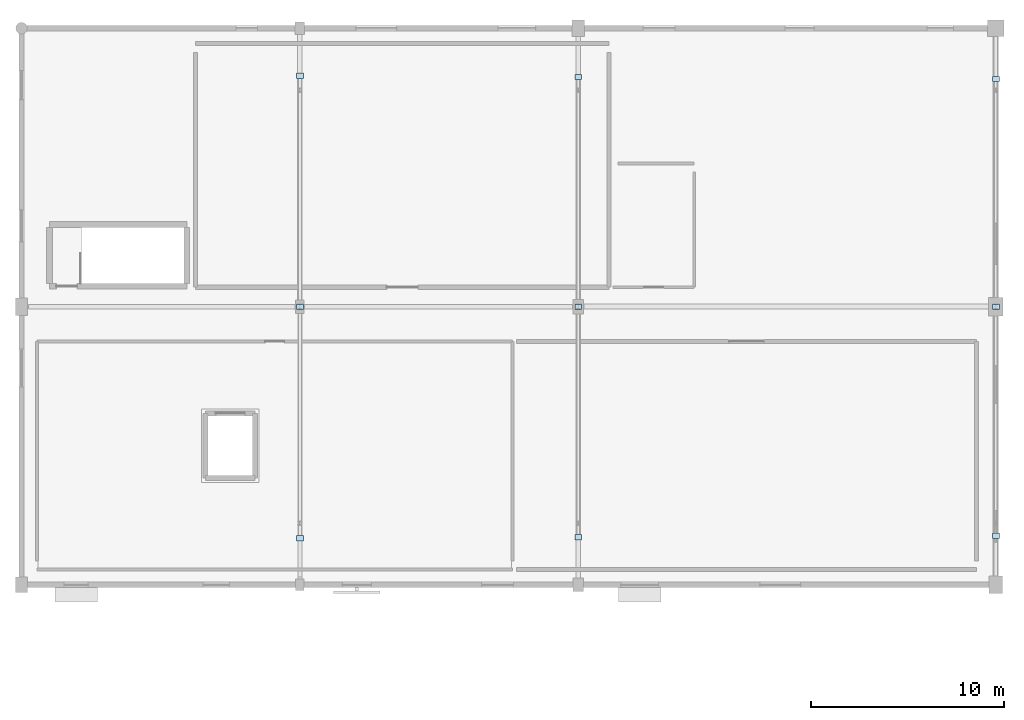
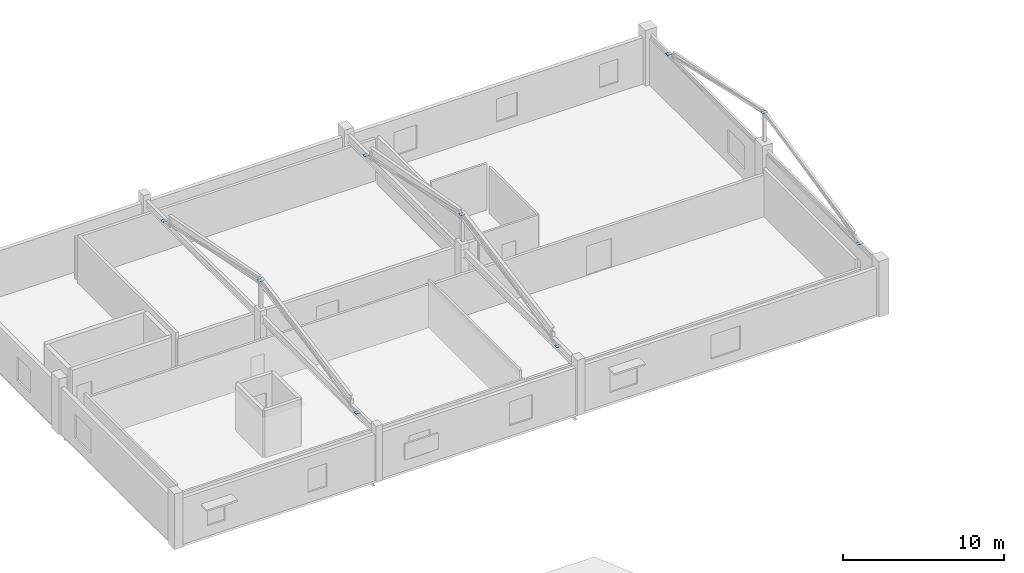
# One storey, part 61 of 92: 9 plates.
"""IFC4 building model written with IfcOpenShell, lengths in metres."""

from ifc_helpers import new_model, si_unit, direction, frame, origin, origin_2d, place, context, subcontext, project, spatial, rectangle, extrude, material, layer, layer_set, type_object, element, save


model = new_model("IFC4")

# Units and contexts
model_context = context("Model", 3, precision=1e-05, world=origin(), true_north=direction((0.0, 1.0)))
body_context = subcontext(model_context, "Body", "Model", "MODEL_VIEW")
ifc_project = project(units=[si_unit("LENGTHUNIT", "METRE"), si_unit("AREAUNIT", "SQUARE_METRE"), si_unit("VOLUMEUNIT", "CUBIC_METRE"), si_unit("PLANEANGLEUNIT", "RADIAN"), si_unit("MASSUNIT", "GRAM", prefix="KILO")], contexts=[model_context])

# Site, building, storey
site_placement = place(None, origin())
site = spatial("IfcSite", under=ifc_project, at=site_placement, CompositionType="ELEMENT")
building_placement = place(site_placement, origin())
building = spatial("IfcBuilding", under=site, at=building_placement, Name="Solanera Park Tramway Depot", CompositionType="ELEMENT")
storey_placement = place(building_placement, frame((0.0, 0.0, 4.800048828125)))
storey = spatial("IfcBuildingStorey", under=building, at=storey_placement, Name="L01", CompositionType="ELEMENT", Elevation=4.800048828125)

# Plates
ifc_material = material(Name="Steel AS/NZS 3679.1 Grade 350", Category="steel")
ifc_layer = layer(ifc_material, 0.01806640625)
ifc_layer_set = layer_set([ifc_layer], Name="Steel AS/NZS 3679.1 Grade 350")
plate_type = type_object("IfcPlateType", Name="Hollow End Cap and Base Plate 360x280x18", PredefinedType="USERDEFINED", material=ifc_layer_set)
for number, where, z_axis, x_axis, name in (
    (1, (180.0, 117.625, 3.5244140625), (0.0, 0.0, 1.0), (1.0, 0.0, 0.0), "Hip Truss Web Sealed Cap Plate #1119"),
    (2, (180.0, 129.60009765625, 6.261962890625), (0.0, 0.0, 1.0), (1.0, 0.0, 0.0), "Hip Truss Web Sealed Cap Plate #1120"),
    (3, (180.0, 141.550048828125, 3.5244140625), (0.0, 0.0, 1.0), (1.0, 0.0, 0.0), "Hip Truss Web Sealed Cap Plate #1121"),
    (4, (194.39990234375, 117.675048828125, 3.485107421875), (0.0, 0.0, 1.0), (1.0, 0.0, 0.0), "Hip Truss Web Sealed Cap Plate #1122"),
    (5, (194.39990234375, 129.60009765625, 6.22265625), (0.0, 0.0, 1.0), (1.0, 0.0, 0.0), "Hip Truss Web Sealed Cap Plate #1123"),
    (6, (194.39990234375, 141.47509765625, 3.485107421875), (0.0, 0.0, 1.0), (1.0, 0.0, 0.0), "Hip Truss Web Sealed Cap Plate #1124"),
    (7, (216.0, 117.75, 3.638916015625), (0.0, 0.0, 1.0), (1.0, 0.0, 0.0), "Hip Truss Web Sealed Cap Plate #1125"),
    (8, (216.0, 129.60009765625, 6.37646484375), (0.0, 0.0, 1.0), (1.0, 0.0, 0.0), "Hip Truss Web Sealed Cap Plate #1126"),
    (9, (216.0, 141.375, 3.638916015625), (0.0, 0.0, 1.0), (1.0, 0.0, 0.0), "Hip Truss Web Sealed Cap Plate #1127"),
):
    element("IfcPlate", number, at=place(storey_placement, frame(where, z_axis=z_axis, x_axis=x_axis)), inside=storey, type_object=plate_type, Name=name, ObjectType="BASE PLATE", PredefinedType="USERDEFINED", context=body_context, shape_type="SweptSolid", body=[
        extrude(rectangle(XDim=0.360107421875, YDim=0.280029296875, at=origin_2d()), origin(), (0.0, 0.0, 1.0), 0.01806640625),
    ])

save(model, "model.ifc")
